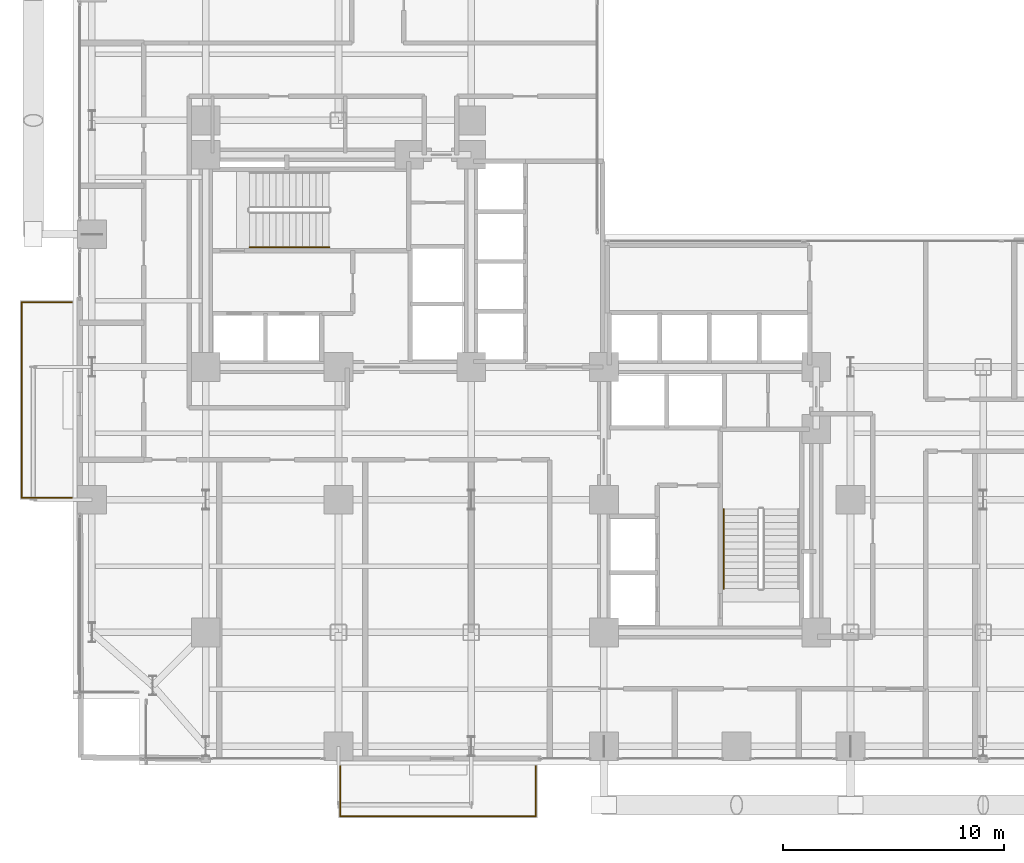
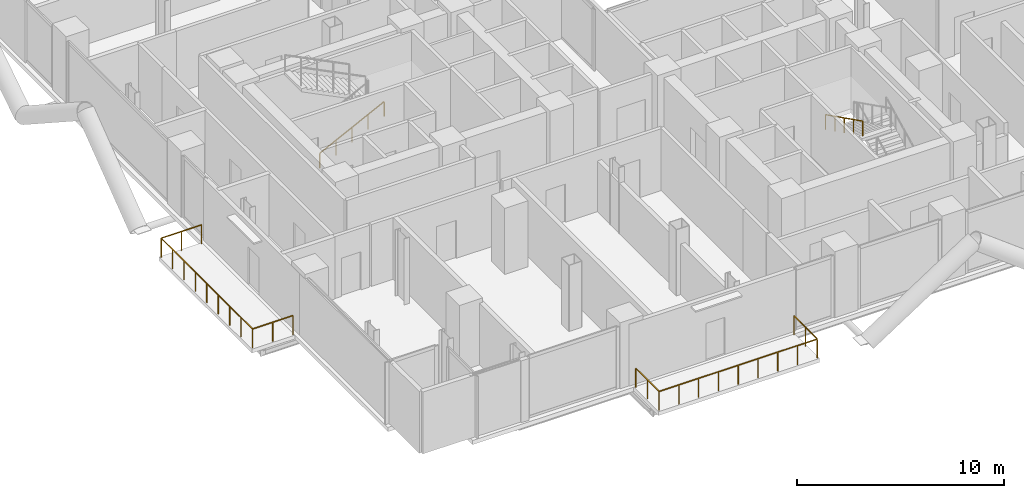
# One storey, part 24 of 25: 4 railings.
"""IFC4 building model written with IfcOpenShell, lengths in metres."""

import ifcopenshell
import ifcopenshell.guid

model = None  # the IFC model being written
_history = None  # IfcOwnerHistory: only IFC2X3 demands one
_inside = {}  # id of a spatial element -> (the spatial element, [elements in it])
_under = {}  # id of a project, library or spatial element -> (it, [spatial elements below it])
_declared = {}  # id of a project -> (the project, [libraries it declares])
_typed = {}  # id of a type object -> (the type object, [elements of that type])
_made_of = {}  # id of a material, layer set ... -> (it, [elements and type objects made of it])


def new_model(schema):
    """Start an empty IFC model of exactly this schema.

    Asked for "IFC4X3", IfcOpenShell would pick the latest addendum, in which some entities
    have other attributes; the version numbers below select the first issue.
    IFC2X3 requires an IfcOwnerHistory on every rooted entity: one is made here for all.
    """
    global model, _history
    if schema == "IFC4X3":
        model = ifcopenshell.file(schema_version=(4, 3, 0, 0))
    else:
        model = ifcopenshell.file(schema=schema)
    _inside.clear()
    _under.clear()
    _declared.clear()
    _typed.clear()
    _made_of.clear()
    _history = None
    if model.schema == "IFC2X3":
        org = make("IfcOrganization", Name="unknown")
        user = make(
            "IfcPersonAndOrganization",
            ThePerson=make("IfcPerson", FamilyName="unknown"),
            TheOrganization=org,
        )
        app = make(
            "IfcApplication",
            ApplicationDeveloper=org,
            Version="unknown",
            ApplicationFullName="unknown",
            ApplicationIdentifier="unknown",
        )
        _history = make(
            "IfcOwnerHistory",
            OwningUser=user,
            OwningApplication=app,
            ChangeAction="ADDED",
            CreationDate=0,
        )
    return model


def make(cls, **values):
    """One entity of the class cls with the attributes given. An attribute that is None is left unset."""
    return model.create_entity(
        cls, **{name: value for name, value in values.items() if value is not None}
    )


def rooted(cls, **values):
    """An entity with a GlobalId (a new one), such as an element, a storey or a relation."""
    return make(cls, GlobalId=ifcopenshell.guid.new(), OwnerHistory=_history, **values)


def si_unit(unit_type, name, prefix=None):
    """IfcSIUnit, for example si_unit("LENGTHUNIT", "METRE", prefix="MILLI")."""
    return make("IfcSIUnit", UnitType=unit_type, Prefix=prefix, Name=name)


def assignment(units):
    """IfcUnitAssignment: the units of a project."""
    return None if units is None else make("IfcUnitAssignment", Units=units)


def point(xyz):
    """IfcCartesianPoint."""
    return None if xyz is None else make("IfcCartesianPoint", Coordinates=xyz)


def direction(xyz):
    """IfcDirection."""
    return None if xyz is None else make("IfcDirection", DirectionRatios=xyz)


def frame(location, z_axis=None, x_axis=None):
    """IfcAxis2Placement3D, a coordinate frame: its origin and axes. An axis left out is left unset."""
    return make(
        "IfcAxis2Placement3D",
        Location=point(location),
        Axis=direction(z_axis),
        RefDirection=direction(x_axis),
    )


def frame_2d(location, x_axis=None):
    """IfcAxis2Placement2D, a coordinate frame in the plane: its origin and x axis."""
    return make(
        "IfcAxis2Placement2D", Location=point(location), RefDirection=direction(x_axis)
    )


def origin():
    """The frame at (0, 0, 0) with its axes left unset."""
    return frame((0.0, 0.0, 0.0))


def origin_2d():
    """The frame at (0, 0) in the plane with its x axis left unset."""
    return frame_2d((0.0, 0.0))


def place(relative_to, where):
    """IfcLocalPlacement: puts the frame where relative to a parent placement (None: the world)."""
    return make(
        "IfcLocalPlacement", PlacementRelTo=relative_to, RelativePlacement=where
    )


def context(
    kind, dimensions, precision=None, world=None, true_north=None, identifier=None
):
    """IfcGeometricRepresentationContext, for example the 3D "Model" context."""
    return make(
        "IfcGeometricRepresentationContext",
        ContextIdentifier=identifier,
        ContextType=kind,
        CoordinateSpaceDimension=dimensions,
        Precision=precision,
        WorldCoordinateSystem=world,
        TrueNorth=true_north,
    )


def subcontext(parent, identifier, kind, view, scale=None):
    """IfcGeometricRepresentationSubContext, for example "Body" below "Model"."""
    return make(
        "IfcGeometricRepresentationSubContext",
        ContextIdentifier=identifier,
        ContextType=kind,
        ParentContext=parent,
        TargetScale=scale,
        TargetView=view,
    )


def project(units=None, contexts=None):
    """IfcProject with its units and contexts."""
    return rooted(
        "IfcProject",
        Name="project",
        RepresentationContexts=contexts,
        UnitsInContext=assignment(units),
    )


def spatial(cls, under=None, at=None, **own):
    """A site, building, storey or space (cls), placed at a placement, below another one or the project."""
    s = rooted(cls, ObjectPlacement=at, **own)
    if under is not None:
        _under.setdefault(under.id(), (under, []))[1].append(s)
    return s


def profile(cls, at=None, kind="AREA", **sizes):
    """A parametric profile (cls). Its sizes go by their IFC names, for example OverallWidth=200.0."""
    return make(cls, ProfileType=kind, Position=at, **sizes)


def rectangle(**sizes):
    """IfcRectangleProfileDef."""
    return profile("IfcRectangleProfileDef", **sizes)


def extrude(swept, where, along, depth):
    """IfcExtrudedAreaSolid: the profile swept, set in the frame where, extruded along a direction by depth."""
    return make(
        "IfcExtrudedAreaSolid",
        SweptArea=swept,
        Position=where,
        ExtrudedDirection=direction(along),
        Depth=depth,
    )


def shape(context_of_items, identifier, shape_type, items):
    """IfcShapeRepresentation: the items that make up one representation, for example the "Body"."""
    return make(
        "IfcShapeRepresentation",
        ContextOfItems=context_of_items,
        RepresentationIdentifier=identifier,
        RepresentationType=shape_type,
        Items=items,
    )


def material(Name=None, Category=None):
    """IfcMaterial."""
    return make("IfcMaterial", Name=Name, Category=Category)


def made_of(thing, what):
    """Note that an element or type object is made of a material, layer set ...; save() writes the relation."""
    if what is not None:
        _made_of.setdefault(what.id(), (what, []))[1].append(thing)
    return thing


def type_object(cls, material=None, **own):
    """A type object (cls), such as IfcWallType, which elements share."""
    return made_of(rooted(cls, **own), material)


def element(
    cls,
    number,
    at=None,
    inside=None,
    cuts=None,
    type_object=None,
    material=None,
    context=None,
    identifier="Body",
    shape_type=None,
    held_by="IfcProductDefinitionShape",
    body=None,
    shapes=None,
    **own,
):
    """One element of the class cls, such as IfcWall. Its Tag is "e" and its number.

    at: its placement. inside: the storey or other place that contains it. cuts: it is an
    opening in that element (IfcRelVoidsElement). A single representation is given by context,
    identifier, shape_type and body (its items); several are given by shapes. held_by: the class
    of the entity that holds the representations. save() writes the other relations.
    """
    e = rooted(cls, Tag="e%d" % number, ObjectPlacement=at, **own)
    if body is not None:
        shapes = [shape(context, identifier, shape_type, body)]
    if shapes is not None:
        e.Representation = make(held_by, Representations=shapes)
    if inside is not None:
        _inside.setdefault(inside.id(), (inside, []))[1].append(e)
    if cuts is not None:
        rooted(
            "IfcRelVoidsElement", RelatingBuildingElement=cuts, RelatedOpeningElement=e
        )
    if type_object is not None:
        _typed.setdefault(type_object.id(), (type_object, []))[1].append(e)
    return made_of(e, material)


def aggregate(whole, parts):
    """IfcRelAggregates: a whole, such as a stair, and the parts it consists of."""
    return rooted("IfcRelAggregates", RelatingObject=whole, RelatedObjects=parts)


def save(model, path):
    """Write the relations noted so far, then the file.

    IfcRelAggregates (storeys below a building ...), IfcRelContainedInSpatialStructure (elements
    in a storey), IfcRelDefinesByType, IfcRelAssociatesMaterial and IfcRelDeclares: one each for
    every whole, place, type object, material and project.
    """
    for whole, parts in _under.values():
        aggregate(whole, parts)
    for where, things in _inside.values():
        rooted(
            "IfcRelContainedInSpatialStructure",
            RelatedElements=things,
            RelatingStructure=where,
        )
    for kind, things in _typed.values():
        rooted("IfcRelDefinesByType", RelatedObjects=things, RelatingType=kind)
    for what, things in _made_of.values():
        rooted("IfcRelAssociatesMaterial", RelatedObjects=things, RelatingMaterial=what)
    for by, libraries in _declared.values():
        rooted("IfcRelDeclares", RelatingContext=by, RelatedDefinitions=libraries)
    model.write(path)


model = new_model("IFC4")

# Units and contexts
model_context = context("Model", 3, precision=1e-05, world=origin(), true_north=direction((0.0, 1.0)))
body_context = subcontext(model_context, "Body", "Model", "MODEL_VIEW")
ifc_project = project(units=[si_unit("LENGTHUNIT", "METRE"), si_unit("AREAUNIT", "SQUARE_METRE"), si_unit("VOLUMEUNIT", "CUBIC_METRE"), si_unit("PLANEANGLEUNIT", "RADIAN"), si_unit("MASSUNIT", "GRAM", prefix="KILO"), si_unit("THERMODYNAMICTEMPERATUREUNIT", "KELVIN"), si_unit("POWERUNIT", "WATT")], contexts=[model_context])

# Site, building, storey
site_placement = place(None, origin())
site = spatial("IfcSite", under=ifc_project, at=site_placement, CompositionType="ELEMENT")
building_placement = place(site_placement, origin())
building = spatial("IfcBuilding", under=site, at=building_placement, Name="Svarakhadi Broadcast Tower", CompositionType="ELEMENT")
storey_placement = place(building_placement, frame((0.0, 0.0, 83.10009765625)))
storey = spatial("IfcBuildingStorey", under=building, at=storey_placement, Name="L19", CompositionType="ELEMENT", Elevation=83.10009765625)

# Railings
ifc_material_1 = material(Name="Laminated Structural SentryGlas Balustrade 25.5 mm", Category="glass")
railing_type_1 = type_object("IfcRailingType", Name="Guard_Balcony_GR01", PredefinedType="BALUSTRADE", material=ifc_material_1)
railing_1_placement = place(storey_placement, frame((12.080078125, -0.06005859375, 0.0)))
element("IfcRailing", 1, at=railing_1_placement, inside=storey, type_object=railing_type_1, Name="L19 South Tree Balcony Guard GR-05", PredefinedType="BALUSTRADE", context=body_context, shape_type="SweptSolid", body=[
    extrude(rectangle(XDim=0.048095703125, YDim=0.048095703125, at=origin_2d()), frame((0.0, 0.0, 1.1259765625), z_axis=(0.0, -1.0, 0.0), x_axis=(1.0, 0.0, 0.0)), (0.0, 0.0, 1.0), 2.260009765625),
    extrude(rectangle(XDim=0.048095703125, YDim=0.048095703125, at=origin_2d()), frame((0.0, -2.260009765625, 1.1259765625), z_axis=(1.0, 0.0, 0.0), x_axis=(0.0, 1.0, 0.0)), (0.0, 0.0, 1.0), 8.83984375),
    extrude(rectangle(XDim=0.048095703125, YDim=0.048095703125, at=origin_2d()), frame((8.83984375, -2.260009765625, 1.1259765625), z_axis=(0.0, 1.0, 0.0), x_axis=(-1.0, 0.0, 0.0)), (0.0, 0.0, 1.0), 2.260009765625),
    extrude(rectangle(XDim=0.0419921875, YDim=0.0419921875, at=origin_2d()), origin(), (0.0, 0.0, 1.0), 1.101806640625),
    extrude(rectangle(XDim=0.0419921875, YDim=0.0419921875, at=origin_2d()), frame((0.0, -1.1298828125, 0.0)), (0.0, 0.0, 1.0), 1.101806640625),
    extrude(rectangle(XDim=0.0419921875, YDim=0.0419921875, at=origin_2d()), frame((0.0, -2.260009765625, 0.0)), (0.0, 0.0, 1.0), 1.101806640625),
    extrude(rectangle(XDim=0.0419921875, YDim=0.0419921875, at=origin_2d()), frame((1.10498046875, -2.260009765625, 0.0)), (0.0, 0.0, 1.0), 1.101806640625),
    extrude(rectangle(XDim=0.0419921875, YDim=0.0419921875, at=origin_2d()), frame((2.2099609375, -2.260009765625, 0.0)), (0.0, 0.0, 1.0), 1.101806640625),
    extrude(rectangle(XDim=0.0419921875, YDim=0.0419921875, at=origin_2d()), frame((3.31494140625, -2.260009765625, 0.0)), (0.0, 0.0, 1.0), 1.101806640625),
    extrude(rectangle(XDim=0.0419921875, YDim=0.0419921875, at=origin_2d()), frame((4.419921875, -2.260009765625, 0.0)), (0.0, 0.0, 1.0), 1.101806640625),
    extrude(rectangle(XDim=0.0419921875, YDim=0.0419921875, at=origin_2d()), frame((5.52490234375, -2.260009765625, 0.0)), (0.0, 0.0, 1.0), 1.101806640625),
    extrude(rectangle(XDim=0.0419921875, YDim=0.0419921875, at=origin_2d()), frame((6.6298828125, -2.260009765625, 0.0)), (0.0, 0.0, 1.0), 1.101806640625),
    extrude(rectangle(XDim=0.0419921875, YDim=0.0419921875, at=origin_2d()), frame((7.73486328125, -2.260009765625, 0.0)), (0.0, 0.0, 1.0), 1.101806640625),
    extrude(rectangle(XDim=0.0419921875, YDim=0.0419921875, at=origin_2d()), frame((8.83984375, -2.260009765625, 0.0)), (0.0, 0.0, 1.0), 1.101806640625),
    extrude(rectangle(XDim=0.0419921875, YDim=0.0419921875, at=origin_2d()), frame((8.83984375, -1.1298828125, 0.0)), (0.0, 0.0, 1.0), 1.101806640625),
    extrude(rectangle(XDim=0.0419921875, YDim=0.0419921875, at=origin_2d()), frame((8.83984375, 0.0, 0.0)), (0.0, 0.0, 1.0), 1.101806640625),
])
railing_2_placement = place(storey_placement, frame((-0.06005859375, 12.080078125, 0.0)))
element("IfcRailing", 2, at=railing_2_placement, inside=storey, type_object=railing_type_1, Name="L19 West Tree Balcony Guard GR-05", PredefinedType="BALUSTRADE", context=body_context, shape_type="SweptSolid", body=[
    extrude(rectangle(XDim=0.048095703125, YDim=0.048095703125, at=origin_2d()), frame((0.0, 0.0, 1.1259765625), z_axis=(-1.0, 0.0, 0.0), x_axis=(0.0, -1.0, 0.0)), (0.0, 0.0, 1.0), 2.260009765625),
    extrude(rectangle(XDim=0.048095703125, YDim=0.048095703125, at=origin_2d()), frame((-2.260009765625, 0.0, 1.1259765625), z_axis=(0.0, 1.0, 0.0), x_axis=(-1.0, 0.0, 0.0)), (0.0, 0.0, 1.0), 8.83984375),
    extrude(rectangle(XDim=0.048095703125, YDim=0.048095703125, at=origin_2d()), frame((-2.260009765625, 8.83984375, 1.1259765625), z_axis=(1.0, 0.0, 0.0), x_axis=(0.0, 1.0, 0.0)), (0.0, 0.0, 1.0), 2.260009765625),
    extrude(rectangle(XDim=0.0419921875, YDim=0.0419921875, at=origin_2d()), origin(), (0.0, 0.0, 1.0), 1.101806640625),
    extrude(rectangle(XDim=0.0419921875, YDim=0.0419921875, at=origin_2d()), frame((-1.1298828125, 0.0, 0.0)), (0.0, 0.0, 1.0), 1.101806640625),
    extrude(rectangle(XDim=0.0419921875, YDim=0.0419921875, at=origin_2d()), frame((-2.260009765625, 0.0, 0.0)), (0.0, 0.0, 1.0), 1.101806640625),
    extrude(rectangle(XDim=0.0419921875, YDim=0.0419921875, at=origin_2d()), frame((-2.260009765625, 1.10498046875, 0.0)), (0.0, 0.0, 1.0), 1.101806640625),
    extrude(rectangle(XDim=0.0419921875, YDim=0.0419921875, at=origin_2d()), frame((-2.260009765625, 2.2099609375, 0.0)), (0.0, 0.0, 1.0), 1.101806640625),
    extrude(rectangle(XDim=0.0419921875, YDim=0.0419921875, at=origin_2d()), frame((-2.260009765625, 3.31494140625, 0.0)), (0.0, 0.0, 1.0), 1.101806640625),
    extrude(rectangle(XDim=0.0419921875, YDim=0.0419921875, at=origin_2d()), frame((-2.260009765625, 4.419921875, 0.0)), (0.0, 0.0, 1.0), 1.101806640625),
    extrude(rectangle(XDim=0.0419921875, YDim=0.0419921875, at=origin_2d()), frame((-2.260009765625, 5.52490234375, 0.0)), (0.0, 0.0, 1.0), 1.101806640625),
    extrude(rectangle(XDim=0.0419921875, YDim=0.0419921875, at=origin_2d()), frame((-2.260009765625, 6.6298828125, 0.0)), (0.0, 0.0, 1.0), 1.101806640625),
    extrude(rectangle(XDim=0.0419921875, YDim=0.0419921875, at=origin_2d()), frame((-2.260009765625, 7.73486328125, 0.0)), (0.0, 0.0, 1.0), 1.101806640625),
    extrude(rectangle(XDim=0.0419921875, YDim=0.0419921875, at=origin_2d()), frame((-2.260009765625, 8.83984375, 0.0)), (0.0, 0.0, 1.0), 1.101806640625),
    extrude(rectangle(XDim=0.0419921875, YDim=0.0419921875, at=origin_2d()), frame((-1.1298828125, 8.83984375, 0.0)), (0.0, 0.0, 1.0), 1.101806640625),
    extrude(rectangle(XDim=0.0419921875, YDim=0.0419921875, at=origin_2d()), frame((0.0, 8.83984375, 0.0)), (0.0, 0.0, 1.0), 1.101806640625),
])
ifc_material_2 = material(Name="Anodised Bronze Aluminium AA 6063-T6", Category="aluminium")
railing_type_2 = type_object("IfcRailingType", Name="Handrail_Stair_HR01", PredefinedType="HANDRAIL", material=ifc_material_2)
railing_3_placement = place(storey_placement, frame((7.97998046875, 23.409912109375, 0.14990234375)))
element("IfcRailing", 3, at=railing_3_placement, inside=storey, type_object=railing_type_2, Name="L19 ST-01 stair handrail 1", PredefinedType="HANDRAIL", context=body_context, shape_type="SweptSolid", body=[
    extrude(rectangle(XDim=0.048095703125, YDim=0.048095703125, at=origin_2d()), frame((0.0, 0.0, 0.8759765625), z_axis=(0.894427191, 0.0, 0.4472135955), x_axis=(0.0, 1.0, 0.0)), (0.0, 0.0, 1.0), 4.025146484375),
    extrude(rectangle(XDim=0.0419921875, YDim=0.0419921875, at=origin_2d()), origin(), (0.0, 0.0, 1.0), 0.851806640625),
    extrude(rectangle(XDim=0.0419921875, YDim=0.0419921875, at=origin_2d()), frame((0.89990234375, 0.0, 0.449951171875)), (0.0, 0.0, 1.0), 0.851806640625),
    extrude(rectangle(XDim=0.0419921875, YDim=0.0419921875, at=origin_2d()), frame((1.800048828125, 0.0, 0.89990234375)), (0.0, 0.0, 1.0), 0.851806640625),
    extrude(rectangle(XDim=0.0419921875, YDim=0.0419921875, at=origin_2d()), frame((2.7001953125, 0.0, 1.35009765625)), (0.0, 0.0, 1.0), 0.851806640625),
    extrude(rectangle(XDim=0.0419921875, YDim=0.0419921875, at=origin_2d()), frame((3.60009765625, 0.0, 1.800048828125)), (0.0, 0.0, 1.0), 0.851806640625),
])
railing_4_placement = place(storey_placement, frame((29.409912109375, 11.580078125, 2.099853515625)))
element("IfcRailing", 4, at=railing_4_placement, inside=storey, type_object=railing_type_2, Name="L19 ST-02 stair handrail 2", PredefinedType="HANDRAIL", context=body_context, shape_type="SweptSolid", body=[
    extrude(rectangle(XDim=0.048095703125, YDim=0.048095703125, at=origin_2d()), frame((0.0, 0.0, 0.8759765625), z_axis=(0.0, -0.894427191, 0.4472135955), x_axis=(1.0, 0.0, 0.0)), (0.0, 0.0, 1.0), 4.025146484375),
    extrude(rectangle(XDim=0.0419921875, YDim=0.0419921875, at=origin_2d()), origin(), (0.0, 0.0, 1.0), 0.851806640625),
    extrude(rectangle(XDim=0.0419921875, YDim=0.0419921875, at=origin_2d()), frame((0.0, -0.89990234375, 0.449951171875)), (0.0, 0.0, 1.0), 0.851806640625),
    extrude(rectangle(XDim=0.0419921875, YDim=0.0419921875, at=origin_2d()), frame((0.0, -1.800048828125, 0.89990234375)), (0.0, 0.0, 1.0), 0.851806640625),
    extrude(rectangle(XDim=0.0419921875, YDim=0.0419921875, at=origin_2d()), frame((0.0, -2.7001953125, 1.35009765625)), (0.0, 0.0, 1.0), 0.851806640625),
    extrude(rectangle(XDim=0.0419921875, YDim=0.0419921875, at=origin_2d()), frame((0.0, -3.60009765625, 1.800048828125)), (0.0, 0.0, 1.0), 0.851806640625),
])

save(model, "model.ifc")
